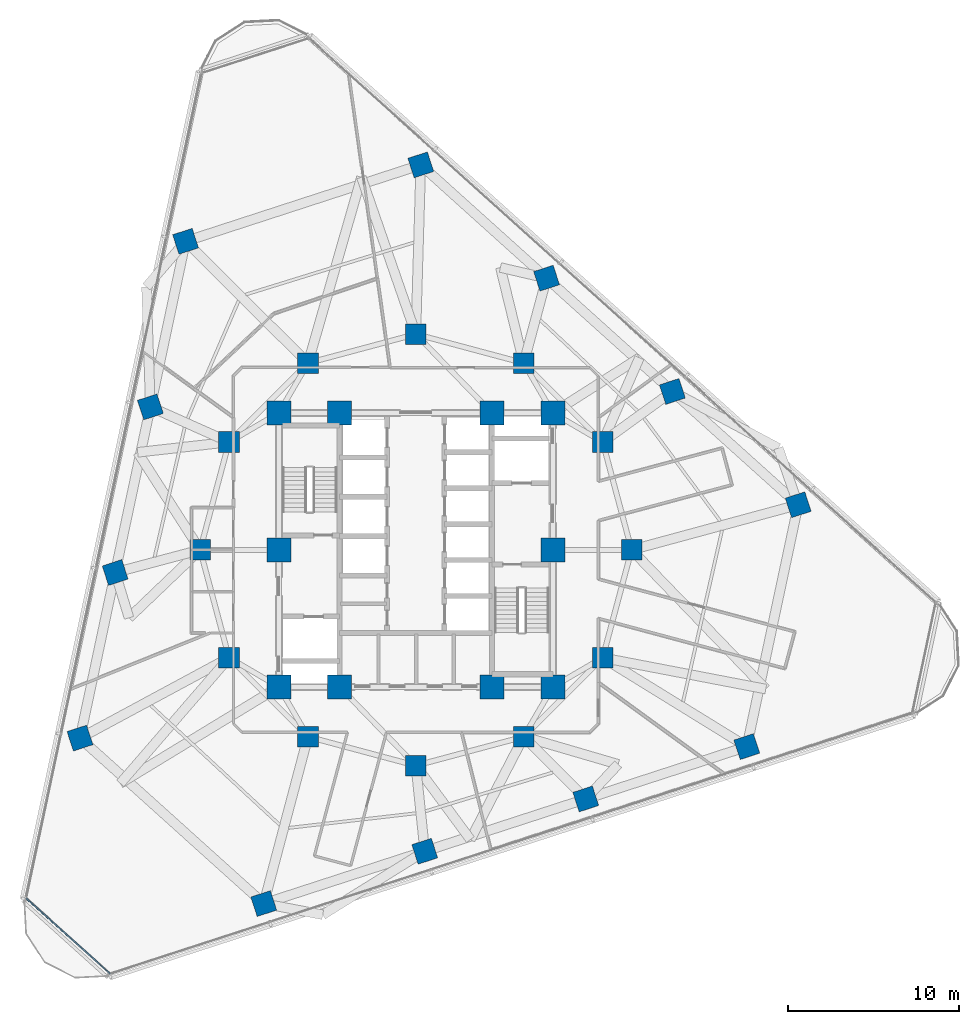
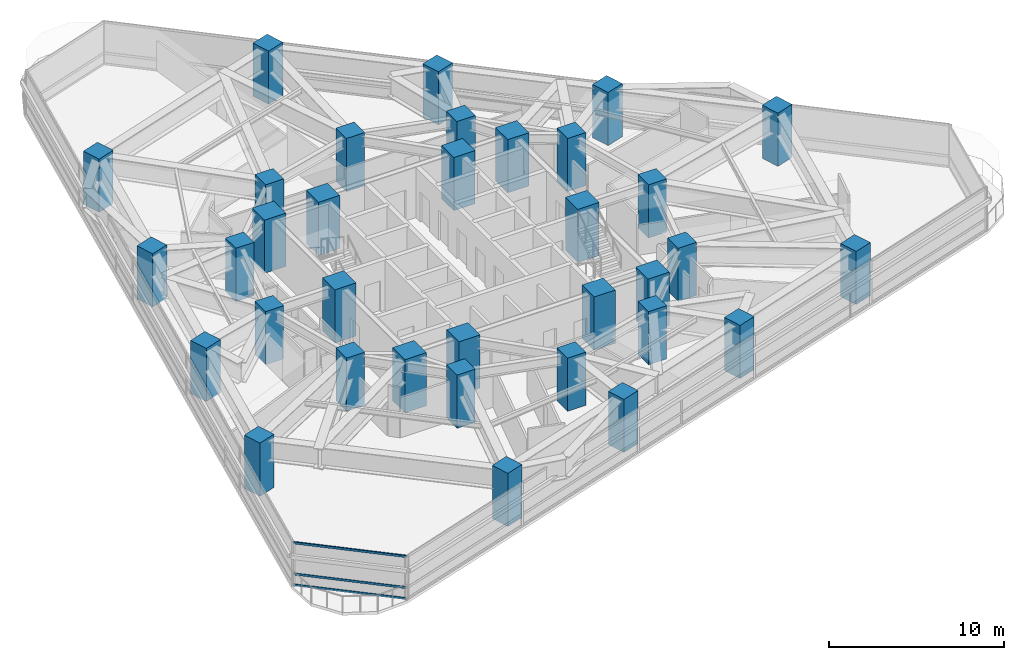
# One storey, part 1 of 14: 34 columns, 3 members, 1 element without a shape of its own.
"""IFC4 building model written with IfcOpenShell, lengths in metres."""

from ifc_helpers import new_model, si_unit, direction, frame, origin, origin_2d, place, context, subcontext, project, spatial, rectangle, extrude, material, layer, layer_set, material_profile, profile_set, type_object, element, aggregate, save


model = new_model("IFC4")

# Units and contexts
model_context = context("Model", 3, precision=1e-05, world=origin(), true_north=direction((0.0, 1.0)))
body_context = subcontext(model_context, "Body", "Model", "MODEL_VIEW")
ifc_project = project(units=[si_unit("LENGTHUNIT", "METRE"), si_unit("AREAUNIT", "SQUARE_METRE"), si_unit("VOLUMEUNIT", "CUBIC_METRE"), si_unit("PLANEANGLEUNIT", "RADIAN"), si_unit("MASSUNIT", "GRAM", prefix="KILO")], contexts=[model_context])

# Site, building, storey
site_placement = place(None, origin())
site = spatial("IfcSite", under=ifc_project, at=site_placement, CompositionType="ELEMENT")
building_placement = place(site_placement, origin())
building = spatial("IfcBuilding", under=site, at=building_placement, Name="Terralouvre Media Tower", CompositionType="ELEMENT")
storey_placement = place(building_placement, frame((0.0, 0.0, 116.199951171875)))
storey = spatial("IfcBuildingStorey", under=building, at=storey_placement, Name="L29", CompositionType="ELEMENT", Elevation=116.199951171875)

# Columns
ifc_material_1 = material(Name="Concrete C60/75", Category="concrete")
ifc_material_profile_1 = material_profile(ifc_material_1, rectangle(XDim=1.199951171875, YDim=1.199951171875, at=origin_2d()), Name="RC 1200x1200")
ifc_profile_set_1 = profile_set([ifc_material_profile_1], Name="Concrete C60/75")
column_type_1 = type_object("IfcColumnType", Name="Structural Column C-RC1200 (RC 1200x1200)", PredefinedType="COLUMN", material=ifc_profile_set_1)
for number, where, z_axis, x_axis, name in (
    (1, (12.60009765625, 0.0, 0.0), (0.0, 0.0, 1.0), (1.0, 0.0, 0.0), "L29 Mega-Frame Column MC01"),
    (2, (10.911865234375, 6.300048828125, 0.0), (0.0, 0.0, 1.0), (1.0, 0.0, 0.0), "L29 Mega-Frame Column MC02"),
    (3, (6.300048828125, 10.911865234375, 0.0), (0.0, 0.0, 1.0), (1.0, 0.0, 0.0), "L29 Mega-Frame Column MC03"),
    (4, (0.0, 12.60009765625, 0.0), (0.0, 0.0, 1.0), (1.0, 0.0, 0.0), "L29 Mega-Frame Column MC04"),
    (5, (-6.300048828125, 10.911865234375, 0.0), (0.0, 0.0, 1.0), (1.0, 0.0, 0.0), "L29 Mega-Frame Column MC05"),
    (6, (-10.911865234375, 6.300048828125, 0.0), (0.0, 0.0, 1.0), (1.0, 0.0, 0.0), "L29 Mega-Frame Column MC06"),
    (7, (-12.60009765625, 0.0, 0.0), (0.0, 0.0, 1.0), (1.0, 0.0, 0.0), "L29 Mega-Frame Column MC07"),
    (8, (-10.911865234375, -6.300048828125, 0.0), (0.0, 0.0, 1.0), (1.0, 0.0, 0.0), "L29 Mega-Frame Column MC08"),
    (9, (-6.300048828125, -10.911865234375, 0.0), (0.0, 0.0, 1.0), (1.0, 0.0, 0.0), "L29 Mega-Frame Column MC09"),
    (10, (0.0, -12.60009765625, 0.0), (0.0, 0.0, 1.0), (1.0, 0.0, 0.0), "L29 Mega-Frame Column MC10"),
    (11, (6.300048828125, -10.911865234375, 0.0), (0.0, 0.0, 1.0), (1.0, 0.0, 0.0), "L29 Mega-Frame Column MC11"),
    (12, (10.911865234375, -6.300048828125, 0.0), (0.0, 0.0, 1.0), (1.0, 0.0, 0.0), "L29 Mega-Frame Column MC12"),
    (13, (-8.883056640625, -20.658203125, 0.0), (0.0, 0.0, 1.0), (0.951056516295, 0.309016994375, 0.0), "L29 Perimeter Mega-Column PC11"),
    (14, (0.52099609375, -17.6025390625, 0.0), (0.0, 0.0, 1.0), (0.951056516295, 0.309016994375, 0.0), "L29 Perimeter Mega-Column PC12"),
    (15, (9.925048828125, -14.547119140625, 0.0), (0.0, 0.0, 1.0), (0.951056516295, 0.309016994375, 0.0), "L29 Perimeter Mega-Column PC13"),
    (16, (19.3291015625, -11.491455078125, 0.0), (0.0, 0.0, 1.0), (0.951056516295, 0.309016994375, 0.0), "L29 Perimeter Mega-Column PC14"),
    (17, (22.33203125, 2.63623046875, 0.0), (0.0, 0.0, 1.0), (0.951056516295, 0.309016994375, 0.0), "L29 Perimeter Mega-Column PC21"),
    (18, (14.98388671875, 9.25244140625, 0.0), (0.0, 0.0, 1.0), (0.951056516295, 0.309016994375, 0.0), "L29 Perimeter Mega-Column PC22"),
    (19, (7.635498046875, 15.868896484375, 0.0), (0.0, 0.0, 1.0), (0.951056516295, 0.309016994375, 0.0), "L29 Perimeter Mega-Column PC23"),
    (20, (0.287353515625, 22.4853515625, 0.0), (0.0, 0.0, 1.0), (0.951056516295, 0.309016994375, 0.0), "L29 Perimeter Mega-Column PC24"),
    (21, (-13.448974609375, 18.02197265625, 0.0), (0.0, 0.0, 1.0), (0.951056516295, 0.309016994375, 0.0), "L29 Perimeter Mega-Column PC31"),
    (22, (-15.5048828125, 8.35009765625, 0.0), (0.0, 0.0, 1.0), (0.951056516295, 0.309016994375, 0.0), "L29 Perimeter Mega-Column PC32"),
    (23, (-17.560791015625, -1.32177734375, 0.0), (0.0, 0.0, 1.0), (0.951056516295, 0.309016994375, 0.0), "L29 Perimeter Mega-Column PC33"),
    (24, (-19.616455078125, -10.99365234375, 0.0), (0.0, 0.0, 1.0), (0.951056516295, 0.309016994375, 0.0), "L29 Perimeter Mega-Column PC34"),
):
    element("IfcColumn", number, at=place(storey_placement, frame(where, z_axis=z_axis, x_axis=x_axis)), inside=storey, type_object=column_type_1, Name=name, PredefinedType="COLUMN", context=body_context, shape_type="SweptSolid", body=[
        extrude(rectangle(XDim=1.199951171875, YDim=1.199951171875, at=origin_2d()), origin(), (0.0, 0.0, 1.0), 3.699951171875),
    ])
ifc_material_2 = material(Name="Concrete C60/75", Category="concrete")
ifc_material_profile_2 = material_profile(ifc_material_2, rectangle(XDim=1.39990234375, YDim=1.39990234375, at=origin_2d()), Name="RC 1400x1400")
ifc_profile_set_2 = profile_set([ifc_material_profile_2], Name="Concrete C60/75")
column_type_2 = type_object("IfcColumnType", Name="Structural Column C-RC1400 (RC 1400x1400)", PredefinedType="COLUMN", material=ifc_profile_set_2)
for number, where, z_axis, x_axis, name in (
    (25, (-8.0, -8.0, 0.0), (0.0, 0.0, 1.0), (1.0, 0.0, 0.0), "L29 Core Pilaster Column CP1"),
    (26, (-4.449951171875, -8.0, 0.0), (0.0, 0.0, 1.0), (1.0, 0.0, 0.0), "L29 Core Pilaster Column CP2"),
    (27, (4.449951171875, -8.0, 0.0), (0.0, 0.0, 1.0), (1.0, 0.0, 0.0), "L29 Core Pilaster Column CP10"),
    (28, (8.0, -8.0, 0.0), (0.0, 0.0, 1.0), (1.0, 0.0, 0.0), "L29 Core Pilaster Column CP3"),
    (29, (8.0, 0.0, 0.0), (0.0, 0.0, 1.0), (1.0, 0.0, 0.0), "L29 Core Pilaster Column CP4"),
    (30, (8.0, 8.0, 0.0), (0.0, 0.0, 1.0), (1.0, 0.0, 0.0), "L29 Core Pilaster Column CP5"),
    (31, (4.449951171875, 8.0, 0.0), (0.0, 0.0, 1.0), (1.0, 0.0, 0.0), "L29 Core Pilaster Column CP9"),
    (32, (-4.449951171875, 8.0, 0.0), (0.0, 0.0, 1.0), (1.0, 0.0, 0.0), "L29 Core Pilaster Column CP6"),
    (33, (-8.0, 8.0, 0.0), (0.0, 0.0, 1.0), (1.0, 0.0, 0.0), "L29 Core Pilaster Column CP7"),
    (34, (-8.0, 0.0, 0.0), (0.0, 0.0, 1.0), (1.0, 0.0, 0.0), "L29 Core Pilaster Column CP8"),
):
    element("IfcColumn", number, at=place(storey_placement, frame(where, z_axis=z_axis, x_axis=x_axis)), inside=storey, type_object=column_type_2, Name=name, PredefinedType="COLUMN", context=body_context, shape_type="SweptSolid", body=[
        extrude(rectangle(XDim=1.39990234375, YDim=1.39990234375, at=origin_2d()), origin(), (0.0, 0.0, 1.0), 3.699951171875),
    ])

# Curtain wall, members
ifc_material_3 = material(Name="Low-iron laminated double glazing with solar-control coating", Category="glass")
ifc_layer = layer(ifc_material_3, 0.1650390625, Name="Rounded Wind-Corner Curved Glazing CW-04")
ifc_layer_set = layer_set([ifc_layer], Name="Low-iron laminated double glazing with solar-control coating")
curtain_wall_type = type_object("IfcCurtainWallType", Name="Rounded Wind-Corner Curved Glazing CW-04", PredefinedType="NOTDEFINED", material=ifc_layer_set)
curtain_wall_placement = place(storey_placement, origin())
curtain_wall = element("IfcCurtainWall", 35, at=curtain_wall_placement, inside=storey, type_object=curtain_wall_type, Name="L29 Rounded Wind-Corner Curtain Wall C0", PredefinedType="NOTDEFINED")
ifc_material_4 = material(Name="Anodised extruded aluminium 6063-T6", Category="aluminium")
ifc_material_profile_3 = material_profile(ifc_material_4, rectangle(XDim=0.074951171875, YDim=0.14990234375, at=origin_2d()), Name="ALU 75x150")
ifc_profile_set_3 = profile_set([ifc_material_profile_3], Name="Anodised extruded aluminium 6063-T6")
member_type = type_object("IfcMemberType", Name="Curtain-Wall Horizontal Transom TR-150", PredefinedType="USERDEFINED", material=ifc_profile_set_3)
member_1_placement = place(storey_placement, frame((-22.74560546875, -20.351806640625, 0.03759765625), z_axis=(0.743146319996, -0.669128946524, 0.0), x_axis=(0.669128946524, 0.743146319996, 0.0)))
member_1 = element("IfcMember", 36, at=member_1_placement, type_object=member_type, Name="CW-04 transom 1.1", ObjectType="TRANSOM", PredefinedType="USERDEFINED", context=body_context, shape_type="SweptSolid", body=[
    extrude(rectangle(XDim=0.074951171875, YDim=0.14990234375, at=origin_2d()), origin(), (0.0, 0.0, 1.0), 6.570556640625),
])
member_2_placement = place(storey_placement, frame((-22.74560546875, -20.351806640625, 0.800048828125), z_axis=(0.743146319996, -0.669128946524, 0.0), x_axis=(0.669128946524, 0.743146319996, 0.0)))
member_2 = element("IfcMember", 37, at=member_2_placement, type_object=member_type, Name="CW-04 transom 1.2", ObjectType="TRANSOM", PredefinedType="USERDEFINED", context=body_context, shape_type="SweptSolid", body=[
    extrude(rectangle(XDim=0.074951171875, YDim=0.14990234375, at=origin_2d()), origin(), (0.0, 0.0, 1.0), 6.570556640625),
])
member_3_placement = place(storey_placement, frame((-22.74560546875, -20.351806640625, 2.962646484375), z_axis=(0.743146319996, -0.669128946524, 0.0), x_axis=(0.669128946524, 0.743146319996, 0.0)))
member_3 = element("IfcMember", 38, at=member_3_placement, type_object=member_type, Name="CW-04 transom 1.3", ObjectType="TRANSOM", PredefinedType="USERDEFINED", context=body_context, shape_type="SweptSolid", body=[
    extrude(rectangle(XDim=0.074951171875, YDim=0.14990234375, at=origin_2d()), origin(), (0.0, 0.0, 1.0), 6.570556640625),
])
aggregate(curtain_wall, [member_1, member_2, member_3])

save(model, "model.ifc")
